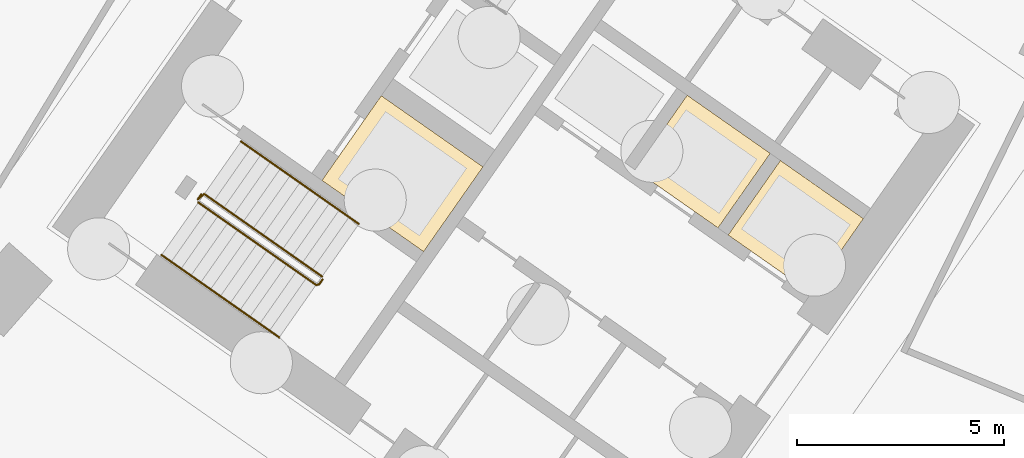
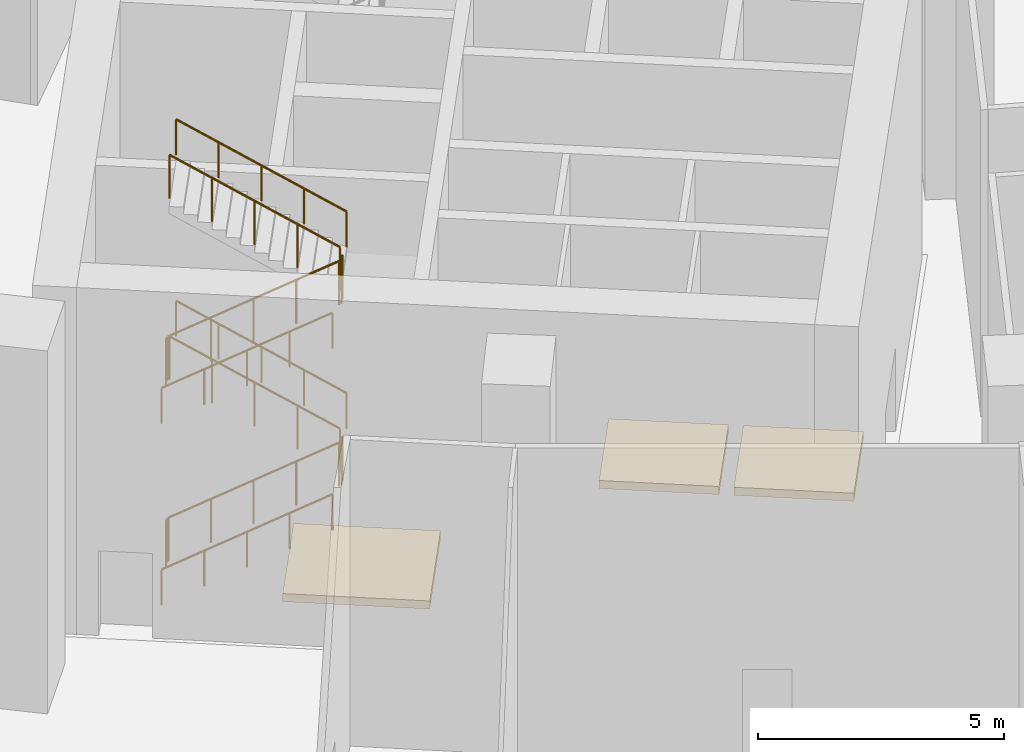
# One storey, part 17 of 23: 9 railings, 3 coverings.
"""IFC4 building model written with IfcOpenShell, lengths in metres."""

from ifc_helpers import new_model, si_unit, direction, frame, origin, origin_2d, place, context, subcontext, project, spatial, polyline, circle, outline, extrude, material, layer, layer_set, type_object, element, save


model = new_model("IFC4")

# Units and contexts
model_context = context("Model", 3, precision=1e-05, world=origin(), true_north=direction((0.0, 1.0)))
body_context = subcontext(model_context, "Body", "Model", "MODEL_VIEW")
ifc_project = project(units=[si_unit("LENGTHUNIT", "METRE"), si_unit("AREAUNIT", "SQUARE_METRE"), si_unit("VOLUMEUNIT", "CUBIC_METRE"), si_unit("PLANEANGLEUNIT", "RADIAN"), si_unit("MASSUNIT", "GRAM", prefix="KILO")], contexts=[model_context])

# Site, building, storey
site_placement = place(None, origin())
site = spatial("IfcSite", under=ifc_project, at=site_placement, CompositionType="ELEMENT")
building_placement = place(site_placement, origin())
building = spatial("IfcBuilding", under=site, at=building_placement, Name="Qamariyya Broadcast Tower", CompositionType="ELEMENT")
storey_placement = place(building_placement, origin())
storey = spatial("IfcBuildingStorey", under=building, at=storey_placement, Name="L00", CompositionType="ELEMENT", Elevation=0.0)

# Coverings
ifc_material_1 = material(Name="Concrete C40/50", Category="concrete")
ifc_layer = layer(ifc_material_1, 0.199951171875)
ifc_layer_set = layer_set([ifc_layer], Name="Lift pit floor topping 200 mm Concrete C40/50")
covering_type = type_object("IfcCoveringType", Name="Lift pit floor topping 200 mm Concrete C40/50", PredefinedType="FLOORING", material=ifc_layer_set)
covering_1_placement = place(storey_placement, frame((0.0, 0.0, -2.199951171875)))
element("IfcCovering", 1, at=covering_1_placement, inside=storey, type_object=covering_type, Name="k-W-L00-pit0", PredefinedType="FLOORING", context=body_context, shape_type="SweptSolid", body=[
    extrude(outline(polyline([(-31.80859375, -58.542724609375), (-33.8154296875, -57.137451171875), (-32.5537109375, -55.335205078125), (-30.546630859375, -56.740478515625), (-31.80859375, -58.542724609375)])), origin(), (0.0, 0.0, 1.0), 0.199951171875),
])
covering_2_placement = place(storey_placement, frame((0.0, 0.0, -2.199951171875)))
element("IfcCovering", 2, at=covering_2_placement, inside=storey, type_object=covering_type, Name="k-W-L00-pit1", PredefinedType="FLOORING", context=body_context, shape_type="SweptSolid", body=[
    extrude(outline(polyline([(-34.061279296875, -56.96533203125), (-36.068115234375, -55.56005859375), (-34.806396484375, -53.758056640625), (-32.79931640625, -55.163330078125), (-34.061279296875, -56.96533203125)])), origin(), (0.0, 0.0, 1.0), 0.199951171875),
])
covering_3_placement = place(storey_placement, frame((0.0, 0.0, -2.199951171875)))
element("IfcCovering", 3, at=covering_3_placement, inside=storey, type_object=covering_type, Name="k-W-L00-pit3", PredefinedType="FLOORING", context=body_context, shape_type="SweptSolid", body=[
    extrude(outline(polyline([(-39.742431640625, -55.489990234375), (-42.199951171875, -53.769287109375), (-43.6337890625, -55.817138671875), (-41.17626953125, -57.537841796875), (-39.742431640625, -55.489990234375)])), origin(), (0.0, 0.0, 1.0), 0.199951171875),
])

# Railings
ifc_material_2 = material(Name="Painted steel", Category="steel")
railing_type_1 = type_object("IfcRailingType", Name="Stair guard", PredefinedType="GUARDRAIL", material=ifc_material_2)
railing_1_placement = place(storey_placement, frame((-46.624267578125, -56.34765625, 0.173095703125)))
element("IfcRailing", 4, at=railing_1_placement, inside=storey, type_object=railing_type_1, Name="L00 ST-W1 stair guard 1", PredefinedType="GUARDRAIL", context=body_context, shape_type="SweptSolid", body=[
    extrude(circle(Radius=0.02392578125, at=origin_2d()), frame((0.0, 0.0, 1.076171875), z_axis=(0.703392637411, -0.492543525477, 0.512483827206), x_axis=(0.573594173421, 0.819139624372, 0.0)), (0.0, 0.0, 1.0), 4.052734375),
    extrude(circle(Radius=0.02392578125, at=origin_2d()), frame((2.8505859375, -1.99609375, 3.15283203125), z_axis=(0.984957024646, 0.172799478008, 0.0), x_axis=(-0.172799478008, 0.984957024646, 0.0)), (0.0, 0.0, 1.0), 0.070556640625),
    extrude(circle(Radius=0.02392578125, at=origin_2d()), frame((2.920166015625, -1.98388671875, 3.15283203125), z_axis=(0.574444878118, 0.818543268254, 0.0), x_axis=(-0.818543268254, 0.574444878118, 0.0)), (0.0, 0.0, 1.0), 0.150146484375),
    extrude(circle(Radius=0.02099609375, at=origin_2d()), origin(), (0.0, 0.0, 1.0), 1.052001953125),
    extrude(circle(Radius=0.02099609375, at=origin_2d()), frame((0.712646484375, -0.4990234375, 0.519287109375)), (0.0, 0.0, 1.0), 1.052001953125),
    extrude(circle(Radius=0.02099609375, at=origin_2d()), frame((1.42529296875, -0.998046875, 1.03857421875)), (0.0, 0.0, 1.0), 1.052001953125),
    extrude(circle(Radius=0.02099609375, at=origin_2d()), frame((2.137939453125, -1.4970703125, 1.5576171875)), (0.0, 0.0, 1.0), 1.052001953125),
    extrude(circle(Radius=0.02099609375, at=origin_2d()), frame((2.8505859375, -1.99609375, 2.076904296875)), (0.0, 0.0, 1.0), 1.052001953125),
    extrude(circle(Radius=0.02099609375, at=origin_2d()), frame((2.920166015625, -1.98388671875, 2.076904296875)), (0.0, 0.0, 1.0), 1.052001953125),
    extrude(circle(Radius=0.02099609375, at=origin_2d()), frame((3.00634765625, -1.861083984375, 2.076904296875)), (0.0, 0.0, 1.0), 1.052001953125),
])
railing_2_placement = place(storey_placement, frame((-43.63037109375, -58.138916015625, 2.423095703125)))
element("IfcRailing", 5, at=railing_2_placement, inside=storey, type_object=railing_type_1, Name="L00 ST-W1 stair guard 2", PredefinedType="GUARDRAIL", context=body_context, shape_type="SweptSolid", body=[
    extrude(circle(Radius=0.02392578125, at=origin_2d()), frame((0.0, 0.0, 1.076171875), z_axis=(-0.703413508203, 0.492497895646, 0.512499033426), x_axis=(-0.57354709673, -0.81917258733, 0.0)), (0.0, 0.0, 1.0), 4.052490234375),
    extrude(circle(Radius=0.02392578125, at=origin_2d()), frame((-2.8505859375, 1.995849609375, 3.15283203125), z_axis=(-0.755650002112, -0.65497562879, 0.0), x_axis=(0.65497562879, -0.755650002112, 0.0)), (0.0, 0.0, 1.0), 0.2060546875),
    extrude(circle(Radius=0.02392578125, at=origin_2d()), frame((-3.00634765625, 1.86083984375, 3.15283203125), z_axis=(0.574444878118, 0.818543268254, 0.0), x_axis=(-0.818543268254, 0.574444878118, 0.0)), (0.0, 0.0, 1.0), 0.150146484375),
    extrude(circle(Radius=0.02099609375, at=origin_2d()), origin(), (0.0, 0.0, 1.0), 1.052001953125),
    extrude(circle(Radius=0.02099609375, at=origin_2d()), frame((-0.712646484375, 0.4990234375, 0.519287109375)), (0.0, 0.0, 1.0), 1.052001953125),
    extrude(circle(Radius=0.02099609375, at=origin_2d()), frame((-1.42529296875, 0.998046875, 1.03857421875)), (0.0, 0.0, 1.0), 1.052001953125),
    extrude(circle(Radius=0.02099609375, at=origin_2d()), frame((-2.137939453125, 1.496826171875, 1.5576171875)), (0.0, 0.0, 1.0), 1.052001953125),
    extrude(circle(Radius=0.02099609375, at=origin_2d()), frame((-2.8505859375, 1.995849609375, 2.076904296875)), (0.0, 0.0, 1.0), 1.052001953125),
    extrude(circle(Radius=0.02099609375, at=origin_2d()), frame((-3.00634765625, 1.86083984375, 2.076904296875)), (0.0, 0.0, 1.0), 1.052001953125),
    extrude(circle(Radius=0.02099609375, at=origin_2d()), frame((-2.920166015625, 1.983642578125, 2.076904296875)), (0.0, 0.0, 1.0), 1.052001953125),
])
railing_3_placement = place(storey_placement, frame((-46.624267578125, -56.34765625, 4.673095703125)))
element("IfcRailing", 6, at=railing_3_placement, inside=storey, type_object=railing_type_1, Name="L00 ST-W1 stair guard 3", PredefinedType="GUARDRAIL", context=body_context, shape_type="SweptSolid", body=[
    extrude(circle(Radius=0.02392578125, at=origin_2d()), frame((0.0, 0.0, 1.076171875), z_axis=(0.703392637411, -0.492543525477, 0.512483827206), x_axis=(0.573594173421, 0.819139624372, 0.0)), (0.0, 0.0, 1.0), 4.052734375),
    extrude(circle(Radius=0.02392578125, at=origin_2d()), frame((2.8505859375, -1.99609375, 3.15283203125), z_axis=(0.984957024646, 0.172799478008, 0.0), x_axis=(-0.172799478008, 0.984957024646, 0.0)), (0.0, 0.0, 1.0), 0.070556640625),
    extrude(circle(Radius=0.02392578125, at=origin_2d()), frame((2.920166015625, -1.98388671875, 3.15283203125), z_axis=(0.574444878118, 0.818543268254, 0.0), x_axis=(-0.818543268254, 0.574444878118, 0.0)), (0.0, 0.0, 1.0), 0.150146484375),
    extrude(circle(Radius=0.02099609375, at=origin_2d()), origin(), (0.0, 0.0, 1.0), 1.052001953125),
    extrude(circle(Radius=0.02099609375, at=origin_2d()), frame((0.712646484375, -0.4990234375, 0.519287109375)), (0.0, 0.0, 1.0), 1.052001953125),
    extrude(circle(Radius=0.02099609375, at=origin_2d()), frame((1.42529296875, -0.998046875, 1.03857421875)), (0.0, 0.0, 1.0), 1.052001953125),
    extrude(circle(Radius=0.02099609375, at=origin_2d()), frame((2.137939453125, -1.4970703125, 1.5576171875)), (0.0, 0.0, 1.0), 1.052001953125),
    extrude(circle(Radius=0.02099609375, at=origin_2d()), frame((2.8505859375, -1.99609375, 2.076904296875)), (0.0, 0.0, 1.0), 1.052001953125),
    extrude(circle(Radius=0.02099609375, at=origin_2d()), frame((2.920166015625, -1.98388671875, 2.076904296875)), (0.0, 0.0, 1.0), 1.052001953125),
    extrude(circle(Radius=0.02099609375, at=origin_2d()), frame((3.00634765625, -1.861083984375, 2.076904296875)), (0.0, 0.0, 1.0), 1.052001953125),
])
railing_4_placement = place(storey_placement, frame((-43.63037109375, -58.138916015625, 6.923095703125)))
element("IfcRailing", 7, at=railing_4_placement, inside=storey, type_object=railing_type_1, Name="L00 ST-W1 stair guard 4", PredefinedType="GUARDRAIL", context=body_context, shape_type="SweptSolid", body=[
    extrude(circle(Radius=0.02392578125, at=origin_2d()), frame((0.0, 0.0, 1.076171875), z_axis=(-0.703413508203, 0.492497895646, 0.512499033426), x_axis=(-0.57354709673, -0.81917258733, 0.0)), (0.0, 0.0, 1.0), 4.052490234375),
    extrude(circle(Radius=0.02099609375, at=origin_2d()), origin(), (0.0, 0.0, 1.0), 1.052001953125),
    extrude(circle(Radius=0.02099609375, at=origin_2d()), frame((-0.712646484375, 0.4990234375, 0.519287109375)), (0.0, 0.0, 1.0), 1.052001953125),
    extrude(circle(Radius=0.02099609375, at=origin_2d()), frame((-1.42529296875, 0.998046875, 1.03857421875)), (0.0, 0.0, 1.0), 1.052001953125),
    extrude(circle(Radius=0.02099609375, at=origin_2d()), frame((-2.137939453125, 1.496826171875, 1.5576171875)), (0.0, 0.0, 1.0), 1.052001953125),
    extrude(circle(Radius=0.02099609375, at=origin_2d()), frame((-2.8505859375, 1.995849609375, 2.076904296875)), (0.0, 0.0, 1.0), 1.052001953125),
])
railing_5_placement = place(storey_placement, frame((-46.63671875, -56.278076171875, 0.0)))
element("IfcRailing", 8, at=railing_5_placement, inside=storey, type_object=railing_type_1, Name="L00 ST-W1 stair guard 5", PredefinedType="GUARDRAIL", context=body_context, shape_type="SweptSolid", body=[
    extrude(circle(Radius=0.02392578125, at=origin_2d()), frame((0.0, 0.0, 1.076171875), z_axis=(0.574444878118, 0.818543268254, 0.0), x_axis=(-0.818543268254, 0.574444878118, 0.0)), (0.0, 0.0, 1.0), 0.150146484375),
    extrude(circle(Radius=0.02099609375, at=origin_2d()), origin(), (0.0, 0.0, 1.0), 1.052001953125),
    extrude(circle(Radius=0.02099609375, at=origin_2d()), frame((0.086181640625, 0.122802734375, 0.0)), (0.0, 0.0, 1.0), 1.052001953125),
])
ifc_material_3 = material(Name="Stainless steel", Category="steel")
railing_type_2 = type_object("IfcRailingType", Name="Stair handrail", PredefinedType="HANDRAIL", material=ifc_material_3)
railing_6_placement = place(storey_placement, frame((-47.513427734375, -57.617431640625, 0.173095703125)))
element("IfcRailing", 9, at=railing_6_placement, inside=storey, type_object=railing_type_2, Name="L00 ST-W1 stair handrail 1", PredefinedType="HANDRAIL", context=body_context, shape_type="SweptSolid", body=[
    extrude(circle(Radius=0.02392578125, at=origin_2d()), frame((0.0, 0.0, 0.8759765625), z_axis=(0.703423072377, -0.49252265477, 0.512462111562), x_axis=(0.573561211868, 0.819162704376, 0.0)), (0.0, 0.0, 1.0), 4.052734375),
    extrude(circle(Radius=0.02099609375, at=origin_2d()), origin(), (0.0, 0.0, 1.0), 0.851806640625),
    extrude(circle(Radius=0.02099609375, at=origin_2d()), frame((0.712646484375, -0.4990234375, 0.519287109375)), (0.0, 0.0, 1.0), 0.851806640625),
    extrude(circle(Radius=0.02099609375, at=origin_2d()), frame((1.42529296875, -0.998046875, 1.03857421875)), (0.0, 0.0, 1.0), 0.851806640625),
    extrude(circle(Radius=0.02099609375, at=origin_2d()), frame((2.13818359375, -1.4970703125, 1.5576171875)), (0.0, 0.0, 1.0), 0.851806640625),
    extrude(circle(Radius=0.02099609375, at=origin_2d()), frame((2.850830078125, -1.99609375, 2.076904296875)), (0.0, 0.0, 1.0), 0.851806640625),
])
railing_7_placement = place(storey_placement, frame((-42.7412109375, -56.869384765625, 2.423095703125)))
element("IfcRailing", 10, at=railing_7_placement, inside=storey, type_object=railing_type_2, Name="L00 ST-W1 stair handrail 2", PredefinedType="HANDRAIL", context=body_context, shape_type="SweptSolid", body=[
    extrude(circle(Radius=0.02392578125, at=origin_2d()), frame((0.0, 0.0, 0.8759765625), z_axis=(-0.703392637411, 0.492543525477, 0.512483827206), x_axis=(-0.573594173421, -0.819139624372, 0.0)), (0.0, 0.0, 1.0), 4.052734375),
    extrude(circle(Radius=0.02099609375, at=origin_2d()), origin(), (0.0, 0.0, 1.0), 0.851806640625),
    extrude(circle(Radius=0.02099609375, at=origin_2d()), frame((-0.712646484375, 0.4990234375, 0.519287109375)), (0.0, 0.0, 1.0), 0.851806640625),
    extrude(circle(Radius=0.02099609375, at=origin_2d()), frame((-1.42529296875, 0.998046875, 1.03857421875)), (0.0, 0.0, 1.0), 0.851806640625),
    extrude(circle(Radius=0.02099609375, at=origin_2d()), frame((-2.137939453125, 1.4970703125, 1.5576171875)), (0.0, 0.0, 1.0), 0.851806640625),
    extrude(circle(Radius=0.02099609375, at=origin_2d()), frame((-2.8505859375, 1.99609375, 2.076904296875)), (0.0, 0.0, 1.0), 0.851806640625),
])
railing_8_placement = place(storey_placement, frame((-47.513427734375, -57.617431640625, 4.673095703125)))
element("IfcRailing", 11, at=railing_8_placement, inside=storey, type_object=railing_type_2, Name="L00 ST-W1 stair handrail 3", PredefinedType="HANDRAIL", context=body_context, shape_type="SweptSolid", body=[
    extrude(circle(Radius=0.02392578125, at=origin_2d()), frame((0.0, 0.0, 0.8759765625), z_axis=(0.703423072377, -0.49252265477, 0.512462111562), x_axis=(0.573561211868, 0.819162704376, 0.0)), (0.0, 0.0, 1.0), 4.052734375),
    extrude(circle(Radius=0.02099609375, at=origin_2d()), origin(), (0.0, 0.0, 1.0), 0.851806640625),
    extrude(circle(Radius=0.02099609375, at=origin_2d()), frame((0.712646484375, -0.4990234375, 0.519287109375)), (0.0, 0.0, 1.0), 0.851806640625),
    extrude(circle(Radius=0.02099609375, at=origin_2d()), frame((1.42529296875, -0.998046875, 1.03857421875)), (0.0, 0.0, 1.0), 0.851806640625),
    extrude(circle(Radius=0.02099609375, at=origin_2d()), frame((2.13818359375, -1.4970703125, 1.5576171875)), (0.0, 0.0, 1.0), 0.851806640625),
    extrude(circle(Radius=0.02099609375, at=origin_2d()), frame((2.850830078125, -1.99609375, 2.076904296875)), (0.0, 0.0, 1.0), 0.851806640625),
])
railing_9_placement = place(storey_placement, frame((-42.7412109375, -56.869384765625, 6.923095703125)))
element("IfcRailing", 12, at=railing_9_placement, inside=storey, type_object=railing_type_2, Name="L00 ST-W1 stair handrail 4", PredefinedType="HANDRAIL", context=body_context, shape_type="SweptSolid", body=[
    extrude(circle(Radius=0.02392578125, at=origin_2d()), frame((0.0, 0.0, 0.8759765625), z_axis=(-0.703392637411, 0.492543525477, 0.512483827206), x_axis=(-0.573594173421, -0.819139624372, 0.0)), (0.0, 0.0, 1.0), 4.052734375),
    extrude(circle(Radius=0.02099609375, at=origin_2d()), origin(), (0.0, 0.0, 1.0), 0.851806640625),
    extrude(circle(Radius=0.02099609375, at=origin_2d()), frame((-0.712646484375, 0.4990234375, 0.519287109375)), (0.0, 0.0, 1.0), 0.851806640625),
    extrude(circle(Radius=0.02099609375, at=origin_2d()), frame((-1.42529296875, 0.998046875, 1.03857421875)), (0.0, 0.0, 1.0), 0.851806640625),
    extrude(circle(Radius=0.02099609375, at=origin_2d()), frame((-2.137939453125, 1.4970703125, 1.5576171875)), (0.0, 0.0, 1.0), 0.851806640625),
    extrude(circle(Radius=0.02099609375, at=origin_2d()), frame((-2.8505859375, 1.99609375, 2.076904296875)), (0.0, 0.0, 1.0), 0.851806640625),
])

save(model, "model.ifc")
